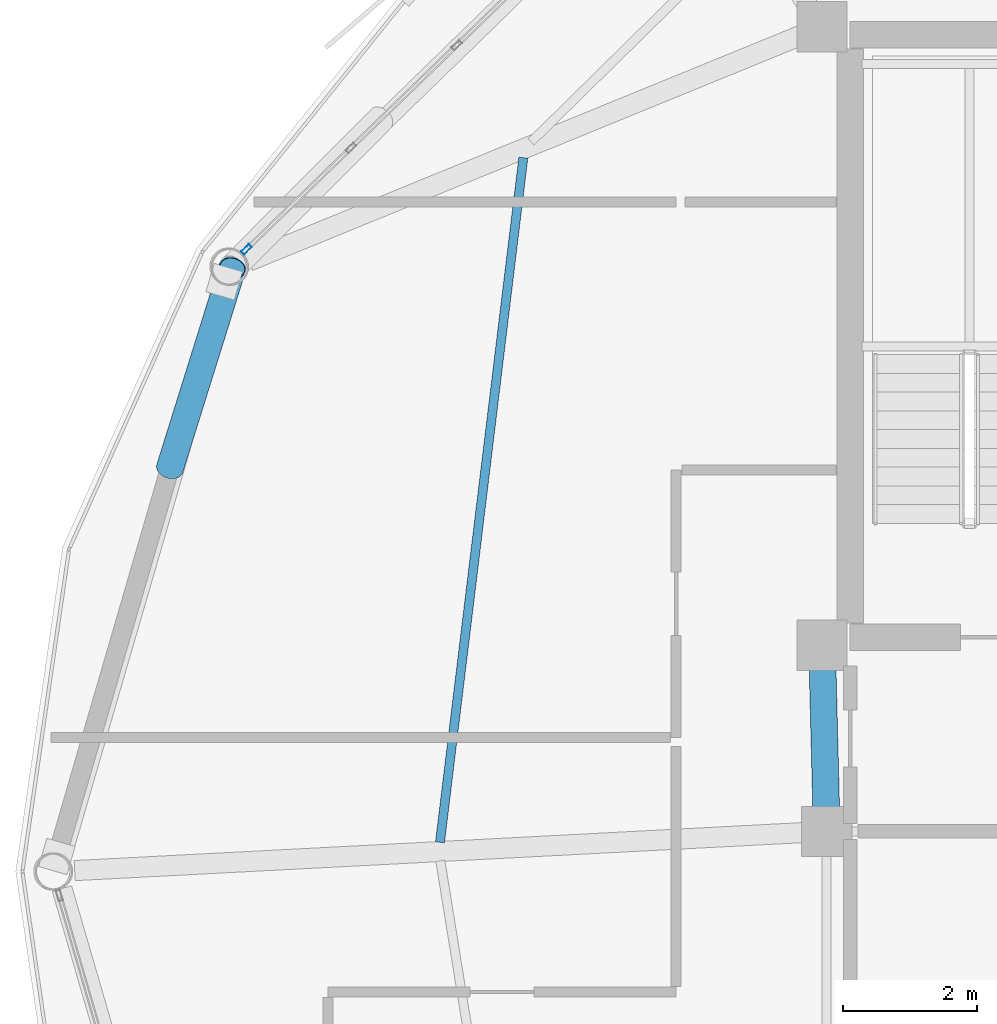
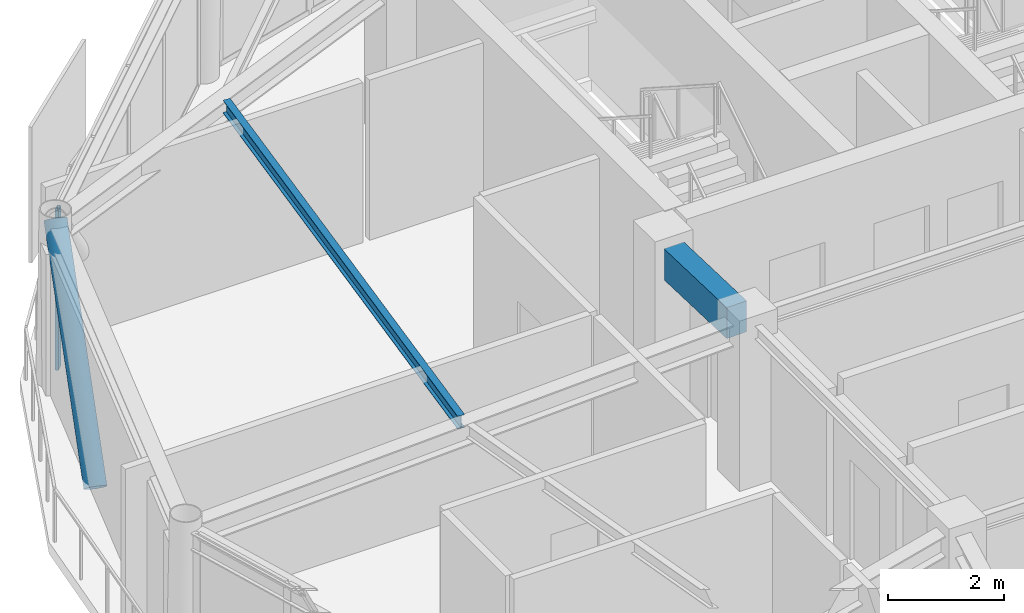
# One storey, part 12 of 27: 2 beams, 2 members, 1 element without a shape of its own.
"""IFC4 building model written with IfcOpenShell, lengths in metres."""

from ifc_helpers import new_model, si_unit, direction, frame, origin, origin_2d, place, context, subcontext, project, spatial, rectangle, hollow_rectangle, hollow_circle, i_section, extrude, material, layer, layer_set, material_profile, profile_set, type_object, element, aggregate, save


model = new_model("IFC4")

# Units and contexts
model_context = context("Model", 3, precision=1e-05, world=origin(), true_north=direction((0.0, 1.0)))
body_context = subcontext(model_context, "Body", "Model", "MODEL_VIEW")
ifc_project = project(units=[si_unit("LENGTHUNIT", "METRE"), si_unit("AREAUNIT", "SQUARE_METRE"), si_unit("VOLUMEUNIT", "CUBIC_METRE"), si_unit("PLANEANGLEUNIT", "RADIAN"), si_unit("MASSUNIT", "GRAM", prefix="KILO")], contexts=[model_context])

# Site, building, storey
site_placement = place(None, origin())
site = spatial("IfcSite", under=ifc_project, at=site_placement, CompositionType="ELEMENT")
building_placement = place(site_placement, origin())
building = spatial("IfcBuilding", under=site, at=building_placement, Name="Varnakorn Sky Granary", CompositionType="ELEMENT")
storey_placement = place(building_placement, frame((0.0, 0.0, 232.800048828125)))
storey = spatial("IfcBuildingStorey", under=building, at=storey_placement, Name="L59", CompositionType="ELEMENT", Elevation=232.800048828125)

# Beams
ifc_material_1 = material(Name="Concrete C50/60", Category="concrete")
ifc_material_profile_1 = material_profile(ifc_material_1, rectangle(XDim=0.39990234375, YDim=0.64990234375, at=origin_2d()), Name="RC 400x650")
ifc_profile_set_1 = profile_set([ifc_material_profile_1], Name="Concrete C50/60")
beam_type_1 = type_object("IfcBeamType", Name="BM-LIN-650", PredefinedType="LINTEL", material=ifc_profile_set_1)
beam_1_placement = place(storey_placement, frame((-2.4111328125, 3.025146484375, 3.034912109375), z_axis=(0.025227817192, -0.999681727971, 0.0), x_axis=(0.999681727971, 0.025227817192, 0.0)))
element("IfcBeam", 1, at=beam_1_placement, inside=storey, type_object=beam_type_1, Name="Core Spine Framing Beam 1 L59", PredefinedType="LINTEL", context=body_context, shape_type="SweptSolid", body=[
    extrude(rectangle(XDim=0.39990234375, YDim=0.64990234375, at=origin_2d()), origin(), (0.0, 0.0, 1.0), 2.071044921875),
])
ifc_material_2 = material(Name="Steel S355JR", Category="steel")
ifc_material_profile_2 = material_profile(ifc_material_2, i_section(OverallWidth=0.135009765625, OverallDepth=0.27001953125, WebThickness=0.006591796875, FlangeThickness=0.01025390625, at=origin_2d()), Name="IPE 270")
ifc_profile_set_2 = profile_set([ifc_material_profile_2], Name="Steel S355JR")
beam_type_2 = type_object("IfcBeamType", Name="BM-SEC-Z5", PredefinedType="BEAM", material=ifc_profile_set_2)
beam_2_placement = place(storey_placement, frame((-6.8818359375, 10.66357421875, 3.224853515625), z_axis=(-0.120878396099, -0.992667322599, 0.0), x_axis=(0.992667322599, -0.120878396099, 0.0)))
element("IfcBeam", 2, at=beam_2_placement, inside=storey, type_object=beam_type_2, Name="Secondary Floor Chord Beam MSB06 L59", PredefinedType="BEAM", context=body_context, shape_type="SweptSolid", body=[
    extrude(i_section(OverallWidth=0.135009765625, OverallDepth=0.27001953125, WebThickness=0.006591796875, FlangeThickness=0.01025390625, at=origin_2d()), origin(), (0.0, 0.0, 1.0), 10.302490234375),
])

# Curtain wall, member
ifc_material_3 = material(Name="Anodised Bronze Aluminium Alloy 6063-T6", Category="aluminium")
ifc_layer = layer(ifc_material_3, 0.169921875, Name="Anodised Bronze Aluminium Alloy 6063-T6")
ifc_layer_set = layer_set([ifc_layer], Name="Anodised Bronze Aluminium Alloy 6063-T6")
curtain_wall_type = type_object("IfcCurtainWallType", Name="CW-LAB-1", PredefinedType="USERDEFINED", material=ifc_layer_set)
curtain_wall_placement = place(storey_placement, origin())
curtain_wall = element("IfcCurtainWall", 3, at=curtain_wall_placement, inside=storey, type_object=curtain_wall_type, Name="Unitised Curtain Wall CW5 CW-L59-B05", ObjectType="CURTAIN WALL", PredefinedType="USERDEFINED")
ifc_material_profile_3 = material_profile(ifc_material_3, hollow_rectangle(XDim=0.06494140625, YDim=0.159912109375, WallThickness=0.00341796875, at=origin_2d()), Name="ALU MULL 65x160")
ifc_profile_set_3 = profile_set([ifc_material_profile_3], Name="Anodised Bronze Aluminium Alloy 6063-T6")
member_type_1 = type_object("IfcMemberType", Name="CW-LAB-1-MULL", PredefinedType="MULLION", material=ifc_profile_set_3)
member_1_placement = place(storey_placement, frame((-11.017822265625, 9.29541015625, 0.0), z_axis=(0.0, 0.0, 1.0), x_axis=(-0.696278954574, 0.717771284893, 0.0)))
member_1 = element("IfcMember", 4, at=member_1_placement, type_object=member_type_1, Name="CW5 mullion 1", PredefinedType="MULLION", context=body_context, shape_type="SweptSolid", body=[
    extrude(hollow_rectangle(XDim=0.06494140625, YDim=0.159912109375, WallThickness=0.00341796875, at=origin_2d()), origin(), (0.0, 0.0, 1.0), 3.35986328125),
])
aggregate(curtain_wall, [member_1])

# Member
ifc_material_4 = material(Name="Steel S460M", Category="steel")
ifc_material_profile_4 = material_profile(ifc_material_4, hollow_circle(Radius=0.203125, WallThickness=0.01611328125, at=origin_2d()), Name="CHS 406.4x16")
ifc_profile_set_4 = profile_set([ifc_material_profile_4], Name="Steel S460M")
member_type_2 = type_object("IfcMemberType", Name="MB-DIAG-T4", PredefinedType="BRACE", material=ifc_profile_set_4)
member_2_placement = place(storey_placement, frame((-12.161865234375, 6.0244140625, -0.130126953125), z_axis=(0.199391427738, 0.638177415991, 0.743621304336), x_axis=(-0.954496589458, 0.298221831382, 0.0)))
element("IfcMember", 5, at=member_2_placement, inside=storey, type_object=member_type_2, Name="Perimeter CHS Diagrid Brace DG06 L59", PredefinedType="BRACE", context=body_context, shape_type="SweptSolid", body=[
    extrude(hollow_circle(Radius=0.203125, WallThickness=0.01611328125, at=origin_2d()), origin(), (0.0, 0.0, 1.0), 4.693115234375),
])

save(model, "model.ifc")
